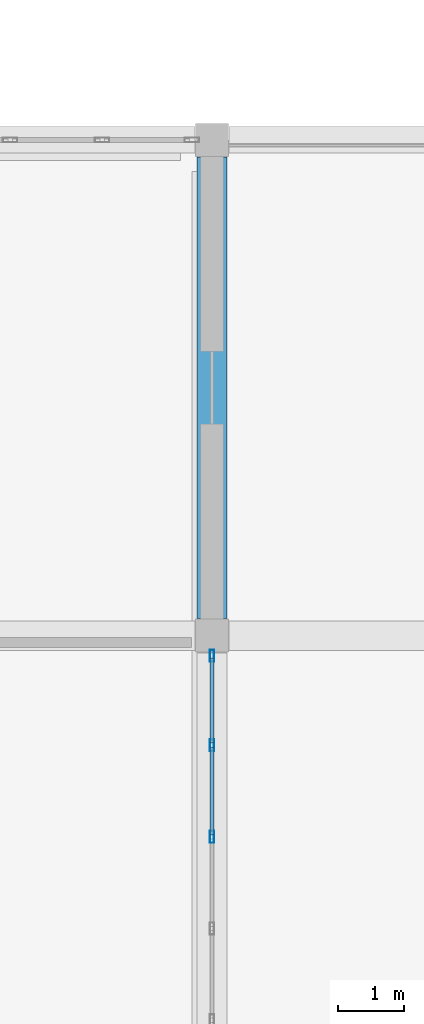
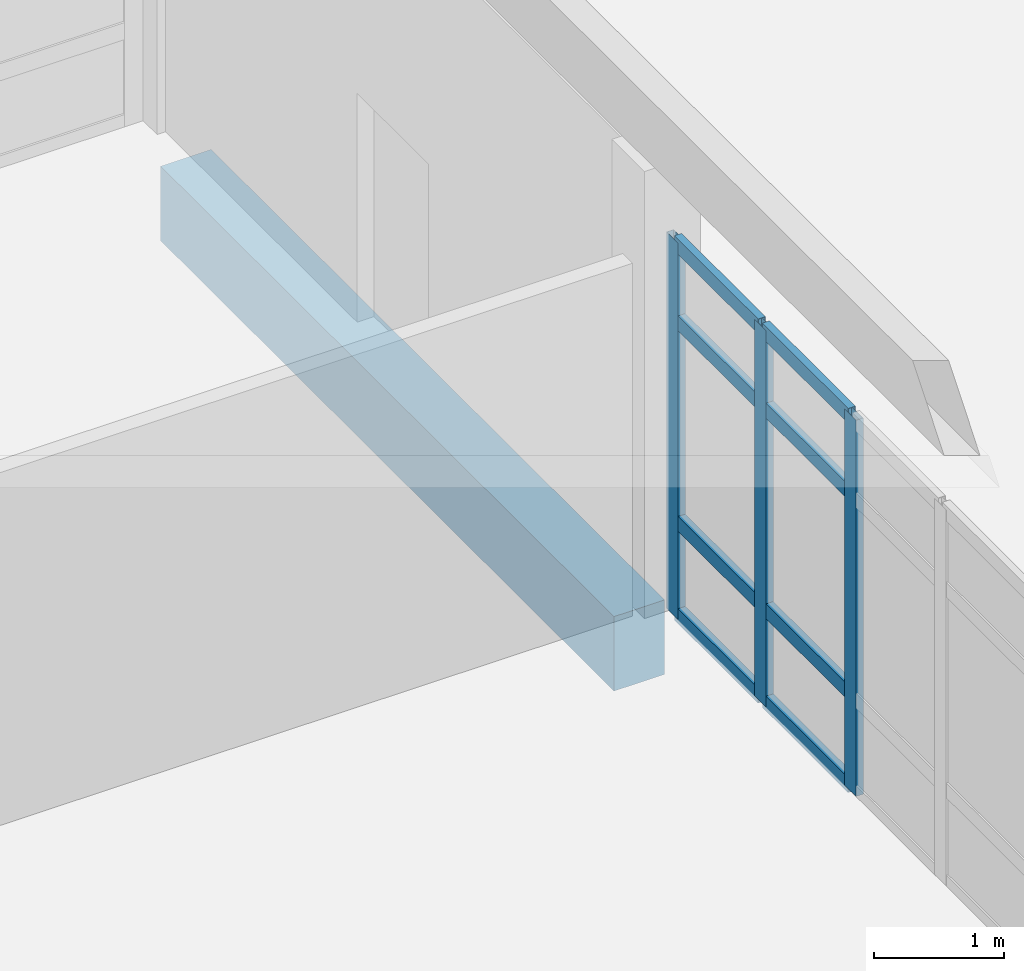
# One storey, part 69 of 164: 11 members, 1 beam, 1 element without a shape of its own.
"""IFC4 building model written with IfcOpenShell, lengths in metres."""

import ifcopenshell
import ifcopenshell.guid

model = None  # the IFC model being written
_history = None  # IfcOwnerHistory: only IFC2X3 demands one
_inside = {}  # id of a spatial element -> (the spatial element, [elements in it])
_under = {}  # id of a project, library or spatial element -> (it, [spatial elements below it])
_declared = {}  # id of a project -> (the project, [libraries it declares])
_typed = {}  # id of a type object -> (the type object, [elements of that type])
_made_of = {}  # id of a material, layer set ... -> (it, [elements and type objects made of it])


def new_model(schema):
    """Start an empty IFC model of exactly this schema.

    Asked for "IFC4X3", IfcOpenShell would pick the latest addendum, in which some entities
    have other attributes; the version numbers below select the first issue.
    IFC2X3 requires an IfcOwnerHistory on every rooted entity: one is made here for all.
    """
    global model, _history
    if schema == "IFC4X3":
        model = ifcopenshell.file(schema_version=(4, 3, 0, 0))
    else:
        model = ifcopenshell.file(schema=schema)
    _inside.clear()
    _under.clear()
    _declared.clear()
    _typed.clear()
    _made_of.clear()
    _history = None
    if model.schema == "IFC2X3":
        org = make("IfcOrganization", Name="unknown")
        user = make(
            "IfcPersonAndOrganization",
            ThePerson=make("IfcPerson", FamilyName="unknown"),
            TheOrganization=org,
        )
        app = make(
            "IfcApplication",
            ApplicationDeveloper=org,
            Version="unknown",
            ApplicationFullName="unknown",
            ApplicationIdentifier="unknown",
        )
        _history = make(
            "IfcOwnerHistory",
            OwningUser=user,
            OwningApplication=app,
            ChangeAction="ADDED",
            CreationDate=0,
        )
    return model


def make(cls, **values):
    """One entity of the class cls with the attributes given. An attribute that is None is left unset."""
    return model.create_entity(
        cls, **{name: value for name, value in values.items() if value is not None}
    )


def rooted(cls, **values):
    """An entity with a GlobalId (a new one), such as an element, a storey or a relation."""
    return make(cls, GlobalId=ifcopenshell.guid.new(), OwnerHistory=_history, **values)


def si_unit(unit_type, name, prefix=None):
    """IfcSIUnit, for example si_unit("LENGTHUNIT", "METRE", prefix="MILLI")."""
    return make("IfcSIUnit", UnitType=unit_type, Prefix=prefix, Name=name)


def assignment(units):
    """IfcUnitAssignment: the units of a project."""
    return None if units is None else make("IfcUnitAssignment", Units=units)


def point(xyz):
    """IfcCartesianPoint."""
    return None if xyz is None else make("IfcCartesianPoint", Coordinates=xyz)


def direction(xyz):
    """IfcDirection."""
    return None if xyz is None else make("IfcDirection", DirectionRatios=xyz)


def frame(location, z_axis=None, x_axis=None):
    """IfcAxis2Placement3D, a coordinate frame: its origin and axes. An axis left out is left unset."""
    return make(
        "IfcAxis2Placement3D",
        Location=point(location),
        Axis=direction(z_axis),
        RefDirection=direction(x_axis),
    )


def frame_2d(location, x_axis=None):
    """IfcAxis2Placement2D, a coordinate frame in the plane: its origin and x axis."""
    return make(
        "IfcAxis2Placement2D", Location=point(location), RefDirection=direction(x_axis)
    )


def origin():
    """The frame at (0, 0, 0) with its axes left unset."""
    return frame((0.0, 0.0, 0.0))


def origin_2d():
    """The frame at (0, 0) in the plane with its x axis left unset."""
    return frame_2d((0.0, 0.0))


def place(relative_to, where):
    """IfcLocalPlacement: puts the frame where relative to a parent placement (None: the world)."""
    return make(
        "IfcLocalPlacement", PlacementRelTo=relative_to, RelativePlacement=where
    )


def context(
    kind, dimensions, precision=None, world=None, true_north=None, identifier=None
):
    """IfcGeometricRepresentationContext, for example the 3D "Model" context."""
    return make(
        "IfcGeometricRepresentationContext",
        ContextIdentifier=identifier,
        ContextType=kind,
        CoordinateSpaceDimension=dimensions,
        Precision=precision,
        WorldCoordinateSystem=world,
        TrueNorth=true_north,
    )


def subcontext(parent, identifier, kind, view, scale=None):
    """IfcGeometricRepresentationSubContext, for example "Body" below "Model"."""
    return make(
        "IfcGeometricRepresentationSubContext",
        ContextIdentifier=identifier,
        ContextType=kind,
        ParentContext=parent,
        TargetScale=scale,
        TargetView=view,
    )


def project(units=None, contexts=None):
    """IfcProject with its units and contexts."""
    return rooted(
        "IfcProject",
        Name="project",
        RepresentationContexts=contexts,
        UnitsInContext=assignment(units),
    )


def spatial(cls, under=None, at=None, **own):
    """A site, building, storey or space (cls), placed at a placement, below another one or the project."""
    s = rooted(cls, ObjectPlacement=at, **own)
    if under is not None:
        _under.setdefault(under.id(), (under, []))[1].append(s)
    return s


def profile(cls, at=None, kind="AREA", **sizes):
    """A parametric profile (cls). Its sizes go by their IFC names, for example OverallWidth=200.0."""
    return make(cls, ProfileType=kind, Position=at, **sizes)


def rectangle(**sizes):
    """IfcRectangleProfileDef."""
    return profile("IfcRectangleProfileDef", **sizes)


def hollow_rectangle(**sizes):
    """IfcRectangleHollowProfileDef."""
    return profile("IfcRectangleHollowProfileDef", **sizes)


def extrude(swept, where, along, depth):
    """IfcExtrudedAreaSolid: the profile swept, set in the frame where, extruded along a direction by depth."""
    return make(
        "IfcExtrudedAreaSolid",
        SweptArea=swept,
        Position=where,
        ExtrudedDirection=direction(along),
        Depth=depth,
    )


def shape(context_of_items, identifier, shape_type, items):
    """IfcShapeRepresentation: the items that make up one representation, for example the "Body"."""
    return make(
        "IfcShapeRepresentation",
        ContextOfItems=context_of_items,
        RepresentationIdentifier=identifier,
        RepresentationType=shape_type,
        Items=items,
    )


def material(Name=None, Category=None):
    """IfcMaterial."""
    return make("IfcMaterial", Name=Name, Category=Category)


def layer(
    of_material, thickness, ventilated=None, Name=None, Category=None, Priority=None
):
    """IfcMaterialLayer: one layer of a wall or slab, of a material (None: an air gap)."""
    return make(
        "IfcMaterialLayer",
        Material=of_material,
        LayerThickness=thickness,
        IsVentilated=ventilated,
        Name=Name,
        Category=Category,
        Priority=Priority,
    )


def layer_set(layers, Name=None):
    """IfcMaterialLayerSet."""
    return make("IfcMaterialLayerSet", MaterialLayers=layers, LayerSetName=Name)


def material_profile(
    of_material, cross_section, Name=None, Category=None, Priority=None
):
    """IfcMaterialProfile: a cross section and its material."""
    return make(
        "IfcMaterialProfile",
        Name=Name,
        Material=of_material,
        Profile=cross_section,
        Priority=Priority,
        Category=Category,
    )


def profile_set(profiles, Name=None, composite=None):
    """IfcMaterialProfileSet."""
    return make(
        "IfcMaterialProfileSet",
        Name=Name,
        MaterialProfiles=profiles,
        CompositeProfile=composite,
    )


def made_of(thing, what):
    """Note that an element or type object is made of a material, layer set ...; save() writes the relation."""
    if what is not None:
        _made_of.setdefault(what.id(), (what, []))[1].append(thing)
    return thing


def type_object(cls, material=None, **own):
    """A type object (cls), such as IfcWallType, which elements share."""
    return made_of(rooted(cls, **own), material)


def element(
    cls,
    number,
    at=None,
    inside=None,
    cuts=None,
    type_object=None,
    material=None,
    context=None,
    identifier="Body",
    shape_type=None,
    held_by="IfcProductDefinitionShape",
    body=None,
    shapes=None,
    **own,
):
    """One element of the class cls, such as IfcWall. Its Tag is "e" and its number.

    at: its placement. inside: the storey or other place that contains it. cuts: it is an
    opening in that element (IfcRelVoidsElement). A single representation is given by context,
    identifier, shape_type and body (its items); several are given by shapes. held_by: the class
    of the entity that holds the representations. save() writes the other relations.
    """
    e = rooted(cls, Tag="e%d" % number, ObjectPlacement=at, **own)
    if body is not None:
        shapes = [shape(context, identifier, shape_type, body)]
    if shapes is not None:
        e.Representation = make(held_by, Representations=shapes)
    if inside is not None:
        _inside.setdefault(inside.id(), (inside, []))[1].append(e)
    if cuts is not None:
        rooted(
            "IfcRelVoidsElement", RelatingBuildingElement=cuts, RelatedOpeningElement=e
        )
    if type_object is not None:
        _typed.setdefault(type_object.id(), (type_object, []))[1].append(e)
    return made_of(e, material)


def aggregate(whole, parts):
    """IfcRelAggregates: a whole, such as a stair, and the parts it consists of."""
    return rooted("IfcRelAggregates", RelatingObject=whole, RelatedObjects=parts)


def save(model, path):
    """Write the relations noted so far, then the file.

    IfcRelAggregates (storeys below a building ...), IfcRelContainedInSpatialStructure (elements
    in a storey), IfcRelDefinesByType, IfcRelAssociatesMaterial and IfcRelDeclares: one each for
    every whole, place, type object, material and project.
    """
    for whole, parts in _under.values():
        aggregate(whole, parts)
    for where, things in _inside.values():
        rooted(
            "IfcRelContainedInSpatialStructure",
            RelatedElements=things,
            RelatingStructure=where,
        )
    for kind, things in _typed.values():
        rooted("IfcRelDefinesByType", RelatedObjects=things, RelatingType=kind)
    for what, things in _made_of.values():
        rooted("IfcRelAssociatesMaterial", RelatedObjects=things, RelatingMaterial=what)
    for by, libraries in _declared.values():
        rooted("IfcRelDeclares", RelatingContext=by, RelatedDefinitions=libraries)
    model.write(path)


model = new_model("IFC4")

# Units and contexts
model_context = context("Model", 3, precision=1e-05, world=origin(), true_north=direction((0.0, 1.0)))
body_context = subcontext(model_context, "Body", "Model", "MODEL_VIEW")
ifc_project = project(units=[si_unit("LENGTHUNIT", "METRE"), si_unit("AREAUNIT", "SQUARE_METRE"), si_unit("VOLUMEUNIT", "CUBIC_METRE"), si_unit("PLANEANGLEUNIT", "RADIAN"), si_unit("MASSUNIT", "GRAM", prefix="KILO")], contexts=[model_context])

# Site, building, storey
site_placement = place(None, origin())
site = spatial("IfcSite", under=ifc_project, at=site_placement, CompositionType="ELEMENT")
building_placement = place(site_placement, origin())
building = spatial("IfcBuilding", under=site, at=building_placement, Name="Mawjan Specialist Oncology Clinic", CompositionType="ELEMENT")
storey_placement = place(building_placement, frame((0.0, 0.0, 5.0)))
storey = spatial("IfcBuildingStorey", under=building, at=storey_placement, Name="L01", CompositionType="ELEMENT", Elevation=5.0)

# Beam
ifc_material_1 = material(Name="Concrete C40/50", Category="concrete")
ifc_material_profile_1 = material_profile(ifc_material_1, rectangle(XDim=0.449951171875, YDim=0.699951171875, at=origin_2d()), Name="RC BM 450x700", Category="concrete")
ifc_profile_set_1 = profile_set([ifc_material_profile_1], Name="Concrete C40/50")
beam_type = type_object("IfcBeamType", Name="BM-450x700", PredefinedType="BEAM", material=ifc_profile_set_1)
beam_placement = place(storey_placement, frame((30.0, 68.56005859375, -0.64990234375), z_axis=(0.0, 1.0, 0.0), x_axis=(-1.0, 0.0, 0.0)))
element("IfcBeam", 1, at=beam_placement, inside=storey, type_object=beam_type, Name="L01 Collector Beam BM-L01-0461", PredefinedType="BEAM", context=body_context, shape_type="SweptSolid", body=[
    extrude(rectangle(XDim=0.449951171875, YDim=0.699951171875, at=origin_2d()), origin(), (0.0, 0.0, 1.0), 6.97998046875),
])

# Curtain wall, members
ifc_material_2 = material(Name="Unitised spectrally selective aluminium curtain wall", Category="aluminium")
ifc_layer = layer(ifc_material_2, 0.179931640625, Name="Unitised spectrally selective aluminium curtain wall", Category="aluminium")
ifc_layer_set = layer_set([ifc_layer], Name="Unitised spectrally selective aluminium curtain wall")
curtain_wall_type = type_object("IfcCurtainWallType", Name="CW-53", PredefinedType="NOTDEFINED", material=ifc_layer_set)
curtain_wall_placement = place(storey_placement, origin())
curtain_wall = element("IfcCurtainWall", 2, at=curtain_wall_placement, inside=storey, type_object=curtain_wall_type, Name="L01 Unitised Curtain Wall CW-L01-156", PredefinedType="NOTDEFINED")
ifc_material_3 = material(Name="Thermally broken aluminium 6063-T6", Category="aluminium")
ifc_material_profile_2 = material_profile(ifc_material_3, hollow_rectangle(XDim=0.06494140625, YDim=0.179931640625, WallThickness=0.00390625, at=origin_2d()), Name="ALU MULLION 180x65x4", Category="aluminium")
ifc_profile_set_2 = profile_set([ifc_material_profile_2], Name="Thermally broken aluminium 6063-T6")
member_type_1 = type_object("IfcMemberType", Name="CW-M180", PredefinedType="MULLION", material=ifc_profile_set_2)
member_1_placement = place(storey_placement, frame((30.0, 67.99755859375, 0.0), z_axis=(0.0, 0.0, 1.0), x_axis=(1.0, 0.0, 0.0)))
member_1 = element("IfcMember", 3, at=member_1_placement, type_object=member_type_1, Name="CW-53 mullion 1", PredefinedType="MULLION", context=body_context, shape_type="SweptSolid", body=[
    extrude(hollow_rectangle(XDim=0.06494140625, YDim=0.179931640625, WallThickness=0.00390625, at=origin_2d()), origin(), (0.0, 0.0, 1.0), 3.534912109375),
])
member_2_placement = place(storey_placement, frame((30.0, 66.64306640625, 0.0), z_axis=(0.0, 0.0, 1.0), x_axis=(1.0, 0.0, 0.0)))
member_2 = element("IfcMember", 4, at=member_2_placement, type_object=member_type_1, Name="CW-53 mullion 2", PredefinedType="MULLION", context=body_context, shape_type="SweptSolid", body=[
    extrude(hollow_rectangle(XDim=0.06494140625, YDim=0.179931640625, WallThickness=0.00390625, at=origin_2d()), origin(), (0.0, 0.0, 1.0), 3.534912109375),
])
member_3_placement = place(storey_placement, frame((30.0, 65.256103515625, 0.0), z_axis=(0.0, 0.0, 1.0), x_axis=(1.0, 0.0, 0.0)))
member_3 = element("IfcMember", 5, at=member_3_placement, type_object=member_type_1, Name="CW-53 mullion 3", PredefinedType="MULLION", context=body_context, shape_type="SweptSolid", body=[
    extrude(hollow_rectangle(XDim=0.06494140625, YDim=0.179931640625, WallThickness=0.00390625, at=origin_2d()), origin(), (0.0, 0.0, 1.0), 3.534912109375),
])
ifc_material_4 = material(Name="Thermally broken aluminium 6063-T6", Category="aluminium")
ifc_material_profile_3 = material_profile(ifc_material_4, hollow_rectangle(XDim=0.06494140625, YDim=0.139892578125, WallThickness=0.00390625, at=origin_2d()), Name="ALU TRANSOM 140x65x4", Category="aluminium")
ifc_profile_set_3 = profile_set([ifc_material_profile_3], Name="Thermally broken aluminium 6063-T6")
member_type_2 = type_object("IfcMemberType", Name="CW-T140", PredefinedType="USERDEFINED", material=ifc_profile_set_3)
member_4_placement = place(storey_placement, frame((30.0, 67.965087890625, 0.032470703125), z_axis=(0.0, -1.0, 0.0), x_axis=(1.0, 0.0, 0.0)))
member_4 = element("IfcMember", 6, at=member_4_placement, type_object=member_type_2, Name="CW-53 transom 1.1", ObjectType="TRANSOM", PredefinedType="USERDEFINED", context=body_context, shape_type="SweptSolid", body=[
    extrude(hollow_rectangle(XDim=0.06494140625, YDim=0.139892578125, WallThickness=0.00390625, at=origin_2d()), origin(), (0.0, 0.0, 1.0), 1.28955078125),
])
member_5_placement = place(storey_placement, frame((30.0, 67.965087890625, 0.89990234375), z_axis=(0.0, -1.0, 0.0), x_axis=(1.0, 0.0, 0.0)))
member_5 = element("IfcMember", 7, at=member_5_placement, type_object=member_type_2, Name="CW-53 transom 1.2", ObjectType="TRANSOM", PredefinedType="USERDEFINED", context=body_context, shape_type="SweptSolid", body=[
    extrude(hollow_rectangle(XDim=0.06494140625, YDim=0.139892578125, WallThickness=0.00390625, at=origin_2d()), origin(), (0.0, 0.0, 1.0), 1.28955078125),
])
member_6_placement = place(storey_placement, frame((30.0, 67.965087890625, 2.784912109375), z_axis=(0.0, -1.0, 0.0), x_axis=(1.0, 0.0, 0.0)))
member_6 = element("IfcMember", 8, at=member_6_placement, type_object=member_type_2, Name="CW-53 transom 1.3", ObjectType="TRANSOM", PredefinedType="USERDEFINED", context=body_context, shape_type="SweptSolid", body=[
    extrude(hollow_rectangle(XDim=0.06494140625, YDim=0.139892578125, WallThickness=0.00390625, at=origin_2d()), origin(), (0.0, 0.0, 1.0), 1.28955078125),
])
member_7_placement = place(storey_placement, frame((30.0, 67.965087890625, 3.50244140625), z_axis=(0.0, -1.0, 0.0), x_axis=(1.0, 0.0, 0.0)))
member_7 = element("IfcMember", 9, at=member_7_placement, type_object=member_type_2, Name="CW-53 transom 1.4", ObjectType="TRANSOM", PredefinedType="USERDEFINED", context=body_context, shape_type="SweptSolid", body=[
    extrude(hollow_rectangle(XDim=0.06494140625, YDim=0.139892578125, WallThickness=0.00390625, at=origin_2d()), origin(), (0.0, 0.0, 1.0), 1.28955078125),
])
member_8_placement = place(storey_placement, frame((30.0, 66.610595703125, 0.032470703125), z_axis=(0.0, -1.0, 0.0), x_axis=(1.0, 0.0, 0.0)))
member_8 = element("IfcMember", 10, at=member_8_placement, type_object=member_type_2, Name="CW-53 transom 2.1", ObjectType="TRANSOM", PredefinedType="USERDEFINED", context=body_context, shape_type="SweptSolid", body=[
    extrude(hollow_rectangle(XDim=0.06494140625, YDim=0.139892578125, WallThickness=0.00390625, at=origin_2d()), origin(), (0.0, 0.0, 1.0), 1.322021484375),
])
member_9_placement = place(storey_placement, frame((30.0, 66.610595703125, 0.89990234375), z_axis=(0.0, -1.0, 0.0), x_axis=(1.0, 0.0, 0.0)))
member_9 = element("IfcMember", 11, at=member_9_placement, type_object=member_type_2, Name="CW-53 transom 2.2", ObjectType="TRANSOM", PredefinedType="USERDEFINED", context=body_context, shape_type="SweptSolid", body=[
    extrude(hollow_rectangle(XDim=0.06494140625, YDim=0.139892578125, WallThickness=0.00390625, at=origin_2d()), origin(), (0.0, 0.0, 1.0), 1.322021484375),
])
member_10_placement = place(storey_placement, frame((30.0, 66.610595703125, 2.784912109375), z_axis=(0.0, -1.0, 0.0), x_axis=(1.0, 0.0, 0.0)))
member_10 = element("IfcMember", 12, at=member_10_placement, type_object=member_type_2, Name="CW-53 transom 2.3", ObjectType="TRANSOM", PredefinedType="USERDEFINED", context=body_context, shape_type="SweptSolid", body=[
    extrude(hollow_rectangle(XDim=0.06494140625, YDim=0.139892578125, WallThickness=0.00390625, at=origin_2d()), origin(), (0.0, 0.0, 1.0), 1.322021484375),
])
member_11_placement = place(storey_placement, frame((30.0, 66.610595703125, 3.50244140625), z_axis=(0.0, -1.0, 0.0), x_axis=(1.0, 0.0, 0.0)))
member_11 = element("IfcMember", 13, at=member_11_placement, type_object=member_type_2, Name="CW-53 transom 2.4", ObjectType="TRANSOM", PredefinedType="USERDEFINED", context=body_context, shape_type="SweptSolid", body=[
    extrude(hollow_rectangle(XDim=0.06494140625, YDim=0.139892578125, WallThickness=0.00390625, at=origin_2d()), origin(), (0.0, 0.0, 1.0), 1.322021484375),
])
aggregate(curtain_wall, [member_1, member_2, member_3, member_4, member_5, member_6, member_7, member_8, member_9, member_10, member_11])

save(model, "model.ifc")
